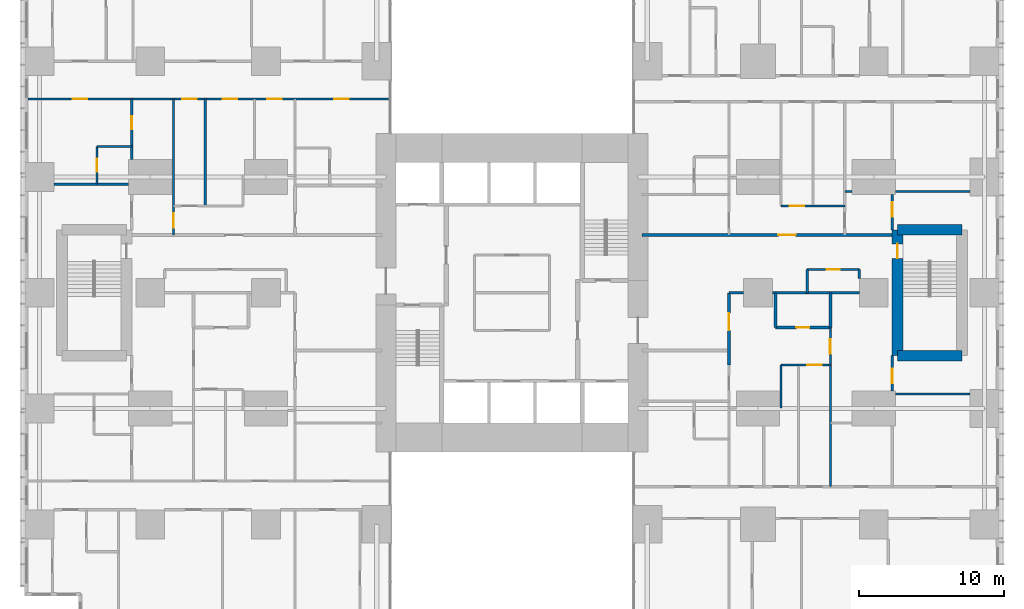
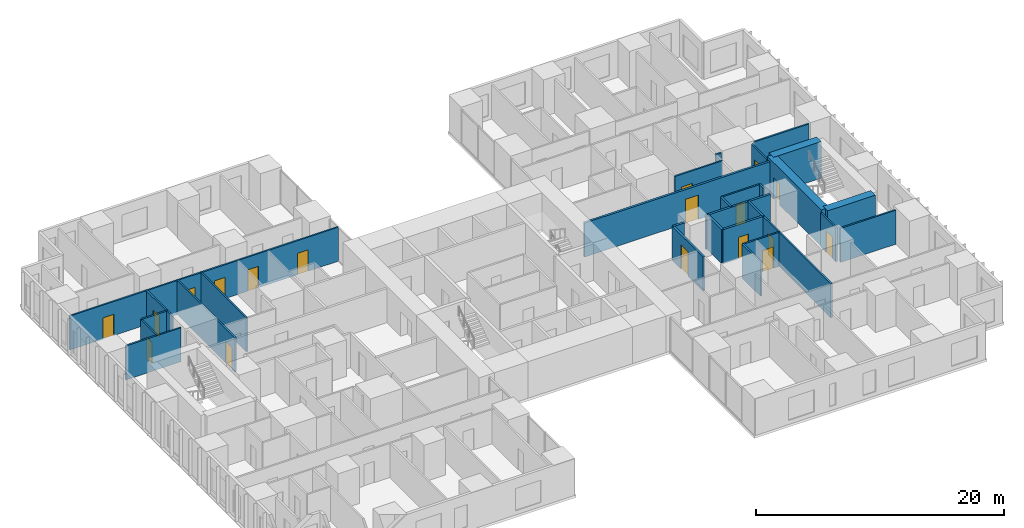
# One storey, part 16 of 20: 29 walls, 18 doors, 18 openings.
"""IFC4 building model written with IfcOpenShell, lengths in metres."""

from ifc_helpers import new_model, si_unit, direction, frame, frame_2d, origin, place, context, subcontext, project, spatial, rectangle, extrude, material, layer, layer_set, type_object, element, fill, save


model = new_model("IFC4")

# Units and contexts
model_context = context("Model", 3, precision=1e-05, world=origin(), true_north=direction((0.0, 1.0)))
body_context = subcontext(model_context, "Body", "Model", "MODEL_VIEW")
ifc_project = project(units=[si_unit("LENGTHUNIT", "METRE"), si_unit("AREAUNIT", "SQUARE_METRE"), si_unit("VOLUMEUNIT", "CUBIC_METRE"), si_unit("PLANEANGLEUNIT", "RADIAN"), si_unit("MASSUNIT", "GRAM", prefix="KILO")], contexts=[model_context])

# Site, building, storey
site_placement = place(None, origin())
site = spatial("IfcSite", under=ifc_project, at=site_placement, CompositionType="ELEMENT")
building_placement = place(site_placement, origin())
building = spatial("IfcBuilding", under=site, at=building_placement, Name="Cleftline Residences", CompositionType="ELEMENT")
storey_placement = place(building_placement, frame((0.0, 0.0, 146.60009765625)))
storey = spatial("IfcBuildingStorey", under=building, at=storey_placement, Name="L38", CompositionType="ELEMENT", Elevation=146.60009765625)

# Wall, opening, door
ifc_material_1 = material(Name="Concrete blockwork, fire rated", Category="masonry")
ifc_layer_1 = layer(ifc_material_1, 0.199951171875)
ifc_layer_set_1 = layer_set([ifc_layer_1], Name="FIRE WALL 200")
wall_type_1 = type_object("IfcWallType", Name="FIRE WALL 200", PredefinedType="PARTITIONING", material=ifc_layer_set_1)
wall_1_placement = place(storey_placement, frame((51.199951171875, 21.60009765625, 0.0), z_axis=(0.0, 0.0, 1.0), x_axis=(1.0, 0.0, 0.0)))
wall_1 = element("IfcWall", 1, at=wall_1_placement, inside=storey, type_object=wall_type_1, Name="Fire separating wall", PredefinedType="PARTITIONING", context=body_context, shape_type="SweptSolid", body=[
    extrude(rectangle(XDim=3.800048828125, YDim=0.199951171875, at=frame_2d((1.89990234375, 0.0))), origin(), (0.0, 0.0, 1.0), 3.349853515625),
])
opening_1_placement = place(wall_1_placement, frame((1.449951171875, 0.0, 0.0)))
opening_1 = element("IfcOpeningElement", 2, at=opening_1_placement, cuts=wall_1, Name="Opening D1F30", PredefinedType="OPENING", context=body_context, shape_type="SweptSolid", body=[
    extrude(rectangle(XDim=0.89990234375, YDim=2.10009765625, at=frame_2d((0.449951171875, 1.050048828125))), frame((0.0, 0.10986328125, 0.0), z_axis=(0.0, -1.0, 0.0), x_axis=(1.0, 0.0, 0.0)), (0.0, 0.0, 1.0), 0.219970703125),
])
ifc_material_2 = material(Name="Timber veneer on solid core", Category="wood")
door_type_1 = type_object("IfcDoorType", Name="DOOR 900X2100 EI 30", OperationType="SINGLE_SWING_LEFT", PredefinedType="DOOR", material=ifc_material_2)
door_1_placement = place(opening_1_placement, origin())
door_1 = element("IfcDoor", 3, at=door_1_placement, inside=storey, type_object=door_type_1, Name="Door to cloakroom wc", OperationType="SINGLE_SWING_LEFT", OverallHeight=2.10009765625, OverallWidth=0.89990234375, PredefinedType="DOOR", context=body_context, shape_type="SweptSolid", body=[
    extrude(rectangle(XDim=0.89990234375, YDim=2.10009765625, at=frame_2d((0.449951171875, 1.050048828125))), frame((0.0, 0.02490234375, 0.0), z_axis=(0.0, -1.0, 0.0), x_axis=(1.0, 0.0, 0.0)), (0.0, 0.0, 1.0), 0.050048828125),
])
fill(opening_1, door_1)

# Walls
wall_2_placement = place(storey_placement, frame((48.0, 24.0, 0.0), z_axis=(0.0, 0.0, 1.0), x_axis=(1.0, 0.0, 0.0)))
element("IfcWall", 4, at=wall_2_placement, inside=storey, type_object=wall_type_1, Name="Fire separating wall", PredefinedType="PARTITIONING", context=body_context, shape_type="SweptSolid", body=[
    extrude(rectangle(XDim=1.0, YDim=0.199951171875, at=frame_2d((0.5, 0.0))), origin(), (0.0, 0.0, 1.0), 3.349853515625),
])
wall_3_placement = place(storey_placement, frame((51.0, 24.0, 0.0), z_axis=(0.0, 0.0, 1.0), x_axis=(1.0, 0.0, 0.0)))
element("IfcWall", 5, at=wall_3_placement, inside=storey, type_object=wall_type_1, Name="Fire separating wall", PredefinedType="PARTITIONING", context=body_context, shape_type="SweptSolid", body=[
    extrude(rectangle(XDim=6.0, YDim=0.199951171875, at=frame_2d((3.0, 0.0))), origin(), (0.0, 0.0, 1.0), 3.349853515625),
])

# Wall, opening, door
wall_4_placement = place(storey_placement, frame((42.0, 28.0, 0.0), z_axis=(0.0, 0.0, 1.0), x_axis=(1.0, 0.0, 0.0)))
wall_4 = element("IfcWall", 6, at=wall_4_placement, inside=storey, type_object=wall_type_1, Name="Fire separating wall", PredefinedType="PARTITIONING", context=body_context, shape_type="SweptSolid", body=[
    extrude(rectangle(XDim=17.27490234375, YDim=0.199951171875, at=frame_2d((8.637451171875, 0.0))), origin(), (0.0, 0.0, 1.0), 3.349853515625),
])
opening_2_placement = place(wall_4_placement, frame((9.39990234375, 0.0, 0.0)))
opening_2 = element("IfcOpeningElement", 7, at=opening_2_placement, cuts=wall_4, Name="Opening D4", PredefinedType="OPENING", context=body_context, shape_type="SweptSolid", body=[
    extrude(rectangle(XDim=1.199951171875, YDim=2.39990234375, at=frame_2d((0.60009765625, 1.199951171875))), frame((0.0, 0.10986328125, 0.0), z_axis=(0.0, -1.0, 0.0), x_axis=(1.0, 0.0, 0.0)), (0.0, 0.0, 1.0), 0.219970703125),
])
ifc_material_3 = material(Name="Timber veneer on solid core", Category="wood")
door_type_2 = type_object("IfcDoorType", Name="APARTMENT ENTRANCE DOOR 1200X2400", OperationType="SINGLE_SWING_RIGHT", PredefinedType="DOOR", material=ifc_material_3)
door_2_placement = place(opening_2_placement, origin())
door_2 = element("IfcDoor", 8, at=door_2_placement, inside=storey, type_object=door_type_2, Name="Door to residence entrance (gallery)", OperationType="SINGLE_SWING_LEFT", OverallHeight=2.39990234375, OverallWidth=1.199951171875, PredefinedType="DOOR", context=body_context, shape_type="SweptSolid", body=[
    extrude(rectangle(XDim=1.199951171875, YDim=2.39990234375, at=frame_2d((0.60009765625, 1.199951171875))), frame((0.0, 0.02490234375, 0.0), z_axis=(0.0, -1.0, 0.0), x_axis=(1.0, 0.0, 0.0)), (0.0, 0.0, 1.0), 0.050048828125),
])
fill(opening_2, door_2)

wall_5_placement = place(storey_placement, frame((48.0, 19.0, 0.0), z_axis=(0.0, 0.0, 1.0), x_axis=(0.0, 1.0, 0.0)))
wall_5 = element("IfcWall", 9, at=wall_5_placement, inside=storey, type_object=wall_type_1, Name="Fire separating wall", PredefinedType="PARTITIONING", context=body_context, shape_type="SweptSolid", body=[
    extrude(rectangle(XDim=5.0, YDim=0.199951171875, at=frame_2d((2.5, 0.0))), origin(), (0.0, 0.0, 1.0), 3.349853515625),
])
opening_3_placement = place(wall_5_placement, frame((2.39990234375, 0.0, 0.0)))
opening_3 = element("IfcOpeningElement", 10, at=opening_3_placement, cuts=wall_5, Name="Opening D4", PredefinedType="OPENING", context=body_context, shape_type="SweptSolid", body=[
    extrude(rectangle(XDim=1.199951171875, YDim=2.39990234375, at=frame_2d((0.60009765625, 1.199951171875))), frame((0.0, 0.10986328125, 0.0), z_axis=(0.0, -1.0, 0.0), x_axis=(1.0, 0.0, 0.0)), (0.0, 0.0, 1.0), 0.219970703125),
])
door_3_placement = place(opening_3_placement, origin())
door_3 = element("IfcDoor", 11, at=door_3_placement, inside=storey, type_object=door_type_2, Name="Door to residence entrance foyer", OperationType="SINGLE_SWING_LEFT", OverallHeight=2.39990234375, OverallWidth=1.199951171875, PredefinedType="DOOR", context=body_context, shape_type="SweptSolid", body=[
    extrude(rectangle(XDim=1.199951171875, YDim=2.39990234375, at=frame_2d((0.60009765625, 1.199951171875))), frame((0.0, 0.02490234375, 0.0), z_axis=(0.0, -1.0, 0.0), x_axis=(1.0, 0.0, 0.0)), (0.0, 0.0, 1.0), 0.050048828125),
])
fill(opening_3, door_3)

# Walls
for number, where, z_axis, x_axis, name in (
    (12, (51.199951171875, 21.60009765625, 0.0), (0.0, 0.0, 1.0), (0.0, 1.0, 0.0), "Fire separating wall"),
    (13, (55.0, 21.60009765625, 0.0), (0.0, 0.0, 1.0), (0.0, 1.0, 0.0), "Fire separating wall"),
):
    element("IfcWall", number, at=place(storey_placement, frame(where, z_axis=z_axis, x_axis=x_axis)), inside=storey, type_object=wall_type_1, Name=name, PredefinedType="PARTITIONING", context=body_context, shape_type="SweptSolid", body=[
        extrude(rectangle(XDim=2.39990234375, YDim=0.199951171875, at=frame_2d((1.199951171875, 0.0))), origin(), (0.0, 0.0, 1.0), 3.349853515625),
    ])
ifc_material_4 = material(Name="Gypsum board on steel studs", Category="steel")
ifc_layer_2 = layer(ifc_material_4, 0.14990234375)
ifc_layer_set_2 = layer_set([ifc_layer_2], Name="PARTITION 150")
wall_type_2 = type_object("IfcWallType", Name="PARTITION 150", PredefinedType="PARTITIONING", material=ifc_layer_set_2)
wall_6_placement = place(storey_placement, frame((59.5, 17.0, 0.0), z_axis=(0.0, 0.0, 1.0), x_axis=(1.0, 0.0, 0.0)))
element("IfcWall", 14, at=wall_6_placement, inside=storey, type_object=wall_type_2, Name="Partition", PredefinedType="PARTITIONING", context=body_context, shape_type="SweptSolid", body=[
    extrude(rectangle(XDim=5.14990234375, YDim=0.14990234375, at=frame_2d((2.574951171875, 0.0))), origin(), (0.0, 0.0, 1.0), 3.349853515625),
])

# Wall, opening, door
wall_7_placement = place(storey_placement, frame((51.60009765625, 19.0, 0.0), z_axis=(0.0, 0.0, 1.0), x_axis=(1.0, 0.0, 0.0)))
wall_7 = element("IfcWall", 15, at=wall_7_placement, inside=storey, type_object=wall_type_2, Name="Partition", PredefinedType="PARTITIONING", context=body_context, shape_type="SweptSolid", body=[
    extrude(rectangle(XDim=3.39990234375, YDim=0.14990234375, at=frame_2d((1.699951171875, 0.0))), origin(), (0.0, 0.0, 1.0), 3.349853515625),
])
opening_4_placement = place(wall_7_placement, frame((1.800048828125, 0.0, 0.0)))
opening_4 = element("IfcOpeningElement", 16, at=opening_4_placement, cuts=wall_7, Name="Opening D2", PredefinedType="OPENING", context=body_context, shape_type="SweptSolid", body=[
    extrude(rectangle(XDim=1.0, YDim=2.10009765625, at=frame_2d((0.5, 1.050048828125))), frame((0.0, 0.0849609375, 0.0), z_axis=(0.0, -1.0, 0.0), x_axis=(1.0, 0.0, 0.0)), (0.0, 0.0, 1.0), 0.169921875),
])
ifc_material_5 = material(Name="Timber veneer on solid core", Category="wood")
door_type_3 = type_object("IfcDoorType", Name="DOOR 1000X2100", OperationType="SINGLE_SWING_LEFT", PredefinedType="DOOR", material=ifc_material_5)
door_4_placement = place(opening_4_placement, origin())
door_4 = element("IfcDoor", 17, at=door_4_placement, inside=storey, type_object=door_type_3, Name="Door to residence passage", OperationType="SINGLE_SWING_LEFT", OverallHeight=2.10009765625, OverallWidth=1.0, PredefinedType="DOOR", context=body_context, shape_type="SweptSolid", body=[
    extrude(rectangle(XDim=1.0, YDim=2.10009765625, at=frame_2d((0.5, 1.050048828125))), frame((0.0, 0.02490234375, 0.0), z_axis=(0.0, -1.0, 0.0), x_axis=(1.0, 0.0, 0.0)), (0.0, 0.0, 1.0), 0.050048828125),
])
fill(opening_4, door_4)

wall_8_placement = place(storey_placement, frame((53.39990234375, 25.60009765625, 0.0), z_axis=(0.0, 0.0, 1.0), x_axis=(1.0, 0.0, 0.0)))
wall_8 = element("IfcWall", 18, at=wall_8_placement, inside=storey, type_object=wall_type_2, Name="Partition", PredefinedType="PARTITIONING", context=body_context, shape_type="SweptSolid", body=[
    extrude(rectangle(XDim=3.60009765625, YDim=0.14990234375, at=frame_2d((1.800048828125, 0.0))), origin(), (0.0, 0.0, 1.0), 3.349853515625),
])
opening_5_placement = place(wall_8_placement, frame((1.35009765625, 0.0, 0.0)))
opening_5 = element("IfcOpeningElement", 19, at=opening_5_placement, cuts=wall_8, Name="Opening D1", PredefinedType="OPENING", context=body_context, shape_type="SweptSolid", body=[
    extrude(rectangle(XDim=0.89990234375, YDim=2.10009765625, at=frame_2d((0.449951171875, 1.050048828125))), frame((0.0, 0.0849609375, 0.0), z_axis=(0.0, -1.0, 0.0), x_axis=(1.0, 0.0, 0.0)), (0.0, 0.0, 1.0), 0.169921875),
])
ifc_material_6 = material(Name="Timber veneer on solid core", Category="wood")
door_type_4 = type_object("IfcDoorType", Name="DOOR 900X2100", OperationType="SINGLE_SWING_LEFT", PredefinedType="DOOR", material=ifc_material_6)
door_5_placement = place(opening_5_placement, origin())
door_5 = element("IfcDoor", 20, at=door_5_placement, inside=storey, type_object=door_type_4, Name="Door to residents' storage room", OperationType="SINGLE_SWING_LEFT", OverallHeight=2.10009765625, OverallWidth=0.89990234375, PredefinedType="DOOR", context=body_context, shape_type="SweptSolid", body=[
    extrude(rectangle(XDim=0.89990234375, YDim=2.10009765625, at=frame_2d((0.449951171875, 1.050048828125))), frame((0.0, 0.02490234375, 0.0), z_axis=(0.0, -1.0, 0.0), x_axis=(1.0, 0.0, 0.0)), (0.0, 0.0, 1.0), 0.050048828125),
])
fill(opening_5, door_5)

wall_9_placement = place(storey_placement, frame((51.60009765625, 30.0, 0.0), z_axis=(0.0, 0.0, 1.0), x_axis=(1.0, 0.0, 0.0)))
wall_9 = element("IfcWall", 21, at=wall_9_placement, inside=storey, type_object=wall_type_2, Name="Partition", PredefinedType="PARTITIONING", context=body_context, shape_type="SweptSolid", body=[
    extrude(rectangle(XDim=4.39990234375, YDim=0.14990234375, at=frame_2d((2.199951171875, 0.0))), origin(), (0.0, 0.0, 1.0), 3.349853515625),
])
opening_6_placement = place(wall_9_placement, frame((0.60009765625, 0.0, 0.0)))
opening_6 = element("IfcOpeningElement", 22, at=opening_6_placement, cuts=wall_9, Name="Opening D2", PredefinedType="OPENING", context=body_context, shape_type="SweptSolid", body=[
    extrude(rectangle(XDim=1.0, YDim=2.10009765625, at=frame_2d((0.5, 1.050048828125))), frame((0.0, 0.0849609375, 0.0), z_axis=(0.0, -1.0, 0.0), x_axis=(1.0, 0.0, 0.0)), (0.0, 0.0, 1.0), 0.169921875),
])
door_6_placement = place(opening_6_placement, origin())
door_6 = element("IfcDoor", 23, at=door_6_placement, inside=storey, type_object=door_type_3, Name="Door to residence passage", OperationType="SINGLE_SWING_RIGHT", OverallHeight=2.10009765625, OverallWidth=1.0, PredefinedType="DOOR", context=body_context, shape_type="SweptSolid", body=[
    extrude(rectangle(XDim=1.0, YDim=2.10009765625, at=frame_2d((0.5, 1.050048828125))), frame((0.0, 0.02490234375, 0.0), z_axis=(0.0, -1.0, 0.0), x_axis=(1.0, 0.0, 0.0)), (0.0, 0.0, 1.0), 0.050048828125),
])
fill(opening_6, door_6)

# Walls
wall_10_placement = place(storey_placement, frame((56.0, 31.0, 0.0), z_axis=(0.0, 0.0, 1.0), x_axis=(1.0, 0.0, 0.0)))
element("IfcWall", 24, at=wall_10_placement, inside=storey, type_object=wall_type_2, Name="Partition", PredefinedType="PARTITIONING", context=body_context, shape_type="SweptSolid", body=[
    extrude(rectangle(XDim=0.5, YDim=0.14990234375, at=frame_2d((0.25, 0.0))), origin(), (0.0, 0.0, 1.0), 3.349853515625),
])
for number, where, z_axis, x_axis, name in (
    (25, (59.5, 31.0, 0.0), (0.0, 0.0, 1.0), (1.0, 0.0, 0.0), "Partition"),
    (26, (1.35009765625, 31.5, 0.0), (0.0, 0.0, 1.0), (1.0, 0.0, 0.0), "Partition"),
):
    element("IfcWall", number, at=place(storey_placement, frame(where, z_axis=z_axis, x_axis=x_axis)), inside=storey, type_object=wall_type_2, Name=name, PredefinedType="PARTITIONING", context=body_context, shape_type="SweptSolid", body=[
        extrude(rectangle(XDim=5.14990234375, YDim=0.14990234375, at=frame_2d((2.574951171875, 0.0))), origin(), (0.0, 0.0, 1.0), 3.349853515625),
    ])
wall_11_placement = place(storey_placement, frame((4.324951171875, 34.10009765625, 0.0), z_axis=(0.0, 0.0, 1.0), x_axis=(1.0, 0.0, 0.0)))
element("IfcWall", 27, at=wall_11_placement, inside=storey, type_object=wall_type_2, Name="Partition", PredefinedType="PARTITIONING", context=body_context, shape_type="SweptSolid", body=[
    extrude(rectangle(XDim=2.400146484375, YDim=0.14990234375, at=frame_2d((1.2001953125, 0.0))), origin(), (0.0, 0.0, 1.0), 3.349853515625),
])

# Wall, openings, doors
wall_12_placement = place(storey_placement, frame((-0.449951171875, 37.39990234375, 0.0), z_axis=(0.0, 0.0, 1.0), x_axis=(1.0, 0.0, 0.0)))
wall_12 = element("IfcWall", 28, at=wall_12_placement, inside=storey, type_object=wall_type_2, Name="Partition", PredefinedType="PARTITIONING", context=body_context, shape_type="SweptSolid", body=[
    extrude(rectangle(XDim=25.010986328125, YDim=0.14990234375, at=frame_2d((12.50537109375, 0.0))), origin(), (0.0, 0.0, 1.0), 3.349853515625),
])
opening_7_placement = place(wall_12_placement, frame((10.64990234375, 0.0, 0.0)))
opening_7 = element("IfcOpeningElement", 29, at=opening_7_placement, cuts=wall_12, Name="Opening D2", PredefinedType="OPENING", context=body_context, shape_type="SweptSolid", body=[
    extrude(rectangle(XDim=1.0, YDim=2.10009765625, at=frame_2d((0.5, 1.050048828125))), frame((0.0, 0.0849609375, 0.0), z_axis=(0.0, -1.0, 0.0), x_axis=(1.0, 0.0, 0.0)), (0.0, 0.0, 1.0), 0.169921875),
])
opening_8_placement = place(wall_12_placement, frame((3.08740234375, 0.0, 0.0)))
opening_8 = element("IfcOpeningElement", 30, at=opening_8_placement, cuts=wall_12, Name="Opening D2", PredefinedType="OPENING", context=body_context, shape_type="SweptSolid", body=[
    extrude(rectangle(XDim=1.0, YDim=2.10009765625, at=frame_2d((0.5, 1.050048828125))), frame((0.0, 0.0849609375, 0.0), z_axis=(0.0, -1.0, 0.0), x_axis=(1.0, 0.0, 0.0)), (0.0, 0.0, 1.0), 0.169921875),
])
opening_9_placement = place(wall_12_placement, frame((13.449951171875, 0.0, 0.0)))
opening_9 = element("IfcOpeningElement", 31, at=opening_9_placement, cuts=wall_12, Name="Opening D2", PredefinedType="OPENING", context=body_context, shape_type="SweptSolid", body=[
    extrude(rectangle(XDim=1.0, YDim=2.10009765625, at=frame_2d((0.5, 1.050048828125))), frame((0.0, 0.0849609375, 0.0), z_axis=(0.0, -1.0, 0.0), x_axis=(1.0, 0.0, 0.0)), (0.0, 0.0, 1.0), 0.169921875),
])
opening_10_placement = place(wall_12_placement, frame((16.550048828125, 0.0, 0.0)))
opening_10 = element("IfcOpeningElement", 32, at=opening_10_placement, cuts=wall_12, Name="Opening D2", PredefinedType="OPENING", context=body_context, shape_type="SweptSolid", body=[
    extrude(rectangle(XDim=1.0, YDim=2.10009765625, at=frame_2d((0.5, 1.050048828125))), frame((0.0, 0.0849609375, 0.0), z_axis=(0.0, -1.0, 0.0), x_axis=(1.0, 0.0, 0.0)), (0.0, 0.0, 1.0), 0.169921875),
])
opening_11_placement = place(wall_12_placement, frame((21.175048828125, 0.0, 0.0)))
opening_11 = element("IfcOpeningElement", 33, at=opening_11_placement, cuts=wall_12, Name="Opening D2", PredefinedType="OPENING", context=body_context, shape_type="SweptSolid", body=[
    extrude(rectangle(XDim=1.0, YDim=2.10009765625, at=frame_2d((0.5, 1.050048828125))), frame((0.0, 0.0849609375, 0.0), z_axis=(0.0, -1.0, 0.0), x_axis=(1.0, 0.0, 0.0)), (0.0, 0.0, 1.0), 0.169921875),
])
door_7_placement = place(opening_7_placement, origin())
door_7 = element("IfcDoor", 34, at=door_7_placement, inside=storey, type_object=door_type_3, Name="Door to residence hall", OperationType="SINGLE_SWING_RIGHT", OverallHeight=2.10009765625, OverallWidth=1.0, PredefinedType="DOOR", context=body_context, shape_type="SweptSolid", body=[
    extrude(rectangle(XDim=1.0, YDim=2.10009765625, at=frame_2d((0.5, 1.050048828125))), frame((0.0, 0.02490234375, 0.0), z_axis=(0.0, -1.0, 0.0), x_axis=(1.0, 0.0, 0.0)), (0.0, 0.0, 1.0), 0.050048828125),
])
fill(opening_7, door_7)
door_8_placement = place(opening_8_placement, origin())
door_8 = element("IfcDoor", 35, at=door_8_placement, inside=storey, type_object=door_type_3, Name="Door to master bedroom", OperationType="SINGLE_SWING_RIGHT", OverallHeight=2.10009765625, OverallWidth=1.0, PredefinedType="DOOR", context=body_context, shape_type="SweptSolid", body=[
    extrude(rectangle(XDim=1.0, YDim=2.10009765625, at=frame_2d((0.5, 1.050048828125))), frame((0.0, 0.02490234375, 0.0), z_axis=(0.0, -1.0, 0.0), x_axis=(1.0, 0.0, 0.0)), (0.0, 0.0, 1.0), 0.050048828125),
])
fill(opening_8, door_8)
door_9_placement = place(opening_9_placement, origin())
door_9 = element("IfcDoor", 36, at=door_9_placement, inside=storey, type_object=door_type_3, Name="Door to family room", OperationType="SINGLE_SWING_LEFT", OverallHeight=2.10009765625, OverallWidth=1.0, PredefinedType="DOOR", context=body_context, shape_type="SweptSolid", body=[
    extrude(rectangle(XDim=1.0, YDim=2.10009765625, at=frame_2d((0.5, 1.050048828125))), frame((0.0, 0.02490234375, 0.0), z_axis=(0.0, -1.0, 0.0), x_axis=(1.0, 0.0, 0.0)), (0.0, 0.0, 1.0), 0.050048828125),
])
fill(opening_9, door_9)
door_10_placement = place(opening_10_placement, origin())
door_10 = element("IfcDoor", 37, at=door_10_placement, inside=storey, type_object=door_type_3, Name="Door to wet kitchen", OperationType="SINGLE_SWING_LEFT", OverallHeight=2.10009765625, OverallWidth=1.0, PredefinedType="DOOR", context=body_context, shape_type="SweptSolid", body=[
    extrude(rectangle(XDim=1.0, YDim=2.10009765625, at=frame_2d((0.5, 1.050048828125))), frame((0.0, 0.02490234375, 0.0), z_axis=(0.0, -1.0, 0.0), x_axis=(1.0, 0.0, 0.0)), (0.0, 0.0, 1.0), 0.050048828125),
])
fill(opening_10, door_10)
door_11_placement = place(opening_11_placement, origin())
door_11 = element("IfcDoor", 38, at=door_11_placement, inside=storey, type_object=door_type_3, Name="Door to bedroom 3", OperationType="SINGLE_SWING_LEFT", OverallHeight=2.10009765625, OverallWidth=1.0, PredefinedType="DOOR", context=body_context, shape_type="SweptSolid", body=[
    extrude(rectangle(XDim=1.0, YDim=2.10009765625, at=frame_2d((0.5, 1.050048828125))), frame((0.0, 0.02490234375, 0.0), z_axis=(0.0, -1.0, 0.0), x_axis=(1.0, 0.0, 0.0)), (0.0, 0.0, 1.0), 0.050048828125),
])
fill(opening_11, door_11)

# Wall, opening, door
wall_13_placement = place(storey_placement, frame((4.324951171875, 31.5, 0.0), z_axis=(0.0, 0.0, 1.0), x_axis=(0.0, 1.0, 0.0)))
wall_13 = element("IfcWall", 39, at=wall_13_placement, inside=storey, type_object=wall_type_2, Name="Partition", PredefinedType="PARTITIONING", context=body_context, shape_type="SweptSolid", body=[
    extrude(rectangle(XDim=2.60009765625, YDim=0.14990234375, at=frame_2d((1.300048828125, 0.0))), origin(), (0.0, 0.0, 1.0), 3.349853515625),
])
opening_12_placement = place(wall_13_placement, frame((0.85009765625, 0.0, 0.0)))
opening_12 = element("IfcOpeningElement", 40, at=opening_12_placement, cuts=wall_13, Name="Opening D1", PredefinedType="OPENING", context=body_context, shape_type="SweptSolid", body=[
    extrude(rectangle(XDim=0.89990234375, YDim=2.10009765625, at=frame_2d((0.449951171875, 1.050048828125))), frame((0.0, 0.0849609375, 0.0), z_axis=(0.0, -1.0, 0.0), x_axis=(1.0, 0.0, 0.0)), (0.0, 0.0, 1.0), 0.169921875),
])
door_12_placement = place(opening_12_placement, origin())
door_12 = element("IfcDoor", 41, at=door_12_placement, inside=storey, type_object=door_type_4, Name="Door to master bathroom", OperationType="SINGLE_SWING_LEFT", OverallHeight=2.10009765625, OverallWidth=0.89990234375, PredefinedType="DOOR", context=body_context, shape_type="SweptSolid", body=[
    extrude(rectangle(XDim=0.89990234375, YDim=2.10009765625, at=frame_2d((0.449951171875, 1.050048828125))), frame((0.0, 0.02490234375, 0.0), z_axis=(0.0, -1.0, 0.0), x_axis=(1.0, 0.0, 0.0)), (0.0, 0.0, 1.0), 0.050048828125),
])
fill(opening_12, door_12)

wall_14_placement = place(storey_placement, frame((6.72509765625, 33.199951171875, 0.0), z_axis=(0.0, 0.0, 1.0), x_axis=(0.0, 1.0, 0.0)))
wall_14 = element("IfcWall", 42, at=wall_14_placement, inside=storey, type_object=wall_type_2, Name="Partition", PredefinedType="PARTITIONING", context=body_context, shape_type="SweptSolid", body=[
    extrude(rectangle(XDim=4.199951171875, YDim=0.14990234375, at=frame_2d((2.10009765625, 0.0))), origin(), (0.0, 0.0, 1.0), 3.349853515625),
])
opening_13_placement = place(wall_14_placement, frame((2.10009765625, 0.0, 0.0)))
opening_13 = element("IfcOpeningElement", 43, at=opening_13_placement, cuts=wall_14, Name="Opening D1", PredefinedType="OPENING", context=body_context, shape_type="SweptSolid", body=[
    extrude(rectangle(XDim=0.89990234375, YDim=2.10009765625, at=frame_2d((0.449951171875, 1.050048828125))), frame((0.0, 0.0849609375, 0.0), z_axis=(0.0, -1.0, 0.0), x_axis=(1.0, 0.0, 0.0)), (0.0, 0.0, 1.0), 0.169921875),
])
door_13_placement = place(opening_13_placement, origin())
door_13 = element("IfcDoor", 44, at=door_13_placement, inside=storey, type_object=door_type_4, Name="Door to master dressing room", OperationType="SINGLE_SWING_LEFT", OverallHeight=2.10009765625, OverallWidth=0.89990234375, PredefinedType="DOOR", context=body_context, shape_type="SweptSolid", body=[
    extrude(rectangle(XDim=0.89990234375, YDim=2.10009765625, at=frame_2d((0.449951171875, 1.050048828125))), frame((0.0, 0.02490234375, 0.0), z_axis=(0.0, -1.0, 0.0), x_axis=(1.0, 0.0, 0.0)), (0.0, 0.0, 1.0), 0.050048828125),
])
fill(opening_13, door_13)

wall_15_placement = place(storey_placement, frame((9.60009765625, 28.0, 0.0), z_axis=(0.0, 0.0, 1.0), x_axis=(0.0, 1.0, 0.0)))
wall_15 = element("IfcWall", 45, at=wall_15_placement, inside=storey, type_object=wall_type_2, Name="Partition", PredefinedType="PARTITIONING", context=body_context, shape_type="SweptSolid", body=[
    extrude(rectangle(XDim=9.39990234375, YDim=0.14990234375, at=frame_2d((4.699951171875, 0.0))), origin(), (0.0, 0.0, 1.0), 3.349853515625),
])
opening_14_placement = place(wall_15_placement, frame((0.5, 0.0, 0.0)))
opening_14 = element("IfcOpeningElement", 46, at=opening_14_placement, cuts=wall_15, Name="Opening D2F30", PredefinedType="OPENING", context=body_context, shape_type="SweptSolid", body=[
    extrude(rectangle(XDim=1.0, YDim=2.10009765625, at=frame_2d((0.5, 1.050048828125))), frame((0.0, 0.0849609375, 0.0), z_axis=(0.0, -1.0, 0.0), x_axis=(1.0, 0.0, 0.0)), (0.0, 0.0, 1.0), 0.169921875),
])
ifc_material_7 = material(Name="Timber veneer on solid core", Category="wood")
door_type_5 = type_object("IfcDoorType", Name="DOOR 1000X2100 EI 30", OperationType="SINGLE_SWING_LEFT", PredefinedType="DOOR", material=ifc_material_7)
door_14_placement = place(opening_14_placement, origin())
door_14 = element("IfcDoor", 47, at=door_14_placement, inside=storey, type_object=door_type_5, Name="Door to residence lobby", OperationType="SINGLE_SWING_RIGHT", OverallHeight=2.10009765625, OverallWidth=1.0, PredefinedType="DOOR", context=body_context, shape_type="SweptSolid", body=[
    extrude(rectangle(XDim=1.0, YDim=2.10009765625, at=frame_2d((0.5, 1.050048828125))), frame((0.0, 0.02490234375, 0.0), z_axis=(0.0, -1.0, 0.0), x_axis=(1.0, 0.0, 0.0)), (0.0, 0.0, 1.0), 0.050048828125),
])
fill(opening_14, door_14)

# Walls
wall_16_placement = place(storey_placement, frame((11.800048828125, 30.0, 0.0), z_axis=(0.0, 0.0, 1.0), x_axis=(0.0, 1.0, 0.0)))
element("IfcWall", 48, at=wall_16_placement, inside=storey, type_object=wall_type_2, Name="Partition", PredefinedType="PARTITIONING", context=body_context, shape_type="SweptSolid", body=[
    extrude(rectangle(XDim=7.39990234375, YDim=0.14990234375, at=frame_2d((3.699951171875, 0.0))), origin(), (0.0, 0.0, 1.0), 3.349853515625),
])
wall_17_placement = place(storey_placement, frame((51.60009765625, 16.050048828125, 0.0), z_axis=(0.0, 0.0, 1.0), x_axis=(0.0, 1.0, 0.0)))
element("IfcWall", 49, at=wall_17_placement, inside=storey, type_object=wall_type_2, Name="Partition", PredefinedType="PARTITIONING", context=body_context, shape_type="SweptSolid", body=[
    extrude(rectangle(XDim=2.949951171875, YDim=0.14990234375, at=frame_2d((1.47509765625, 0.0))), origin(), (0.0, 0.0, 1.0), 3.349853515625),
])
wall_18_placement = place(storey_placement, frame((53.39990234375, 24.0, 0.0), z_axis=(0.0, 0.0, 1.0), x_axis=(0.0, 1.0, 0.0)))
element("IfcWall", 50, at=wall_18_placement, inside=storey, type_object=wall_type_2, Name="Partition", PredefinedType="PARTITIONING", context=body_context, shape_type="SweptSolid", body=[
    extrude(rectangle(XDim=1.60009765625, YDim=0.14990234375, at=frame_2d((0.800048828125, 0.0))), origin(), (0.0, 0.0, 1.0), 3.349853515625),
])

# Wall, opening, door
wall_19_placement = place(storey_placement, frame((55.0, 10.60009765625, 0.0), z_axis=(0.0, 0.0, 1.0), x_axis=(0.0, 1.0, 0.0)))
wall_19 = element("IfcWall", 51, at=wall_19_placement, inside=storey, type_object=wall_type_2, Name="Partition", PredefinedType="PARTITIONING", context=body_context, shape_type="SweptSolid", body=[
    extrude(rectangle(XDim=11.0, YDim=0.14990234375, at=frame_2d((5.5, 0.0))), origin(), (0.0, 0.0, 1.0), 3.349853515625),
])
opening_15_placement = place(wall_19_placement, frame((9.199951171875, 0.0, 0.0)))
opening_15 = element("IfcOpeningElement", 52, at=opening_15_placement, cuts=wall_19, Name="Opening D2F30", PredefinedType="OPENING", context=body_context, shape_type="SweptSolid", body=[
    extrude(rectangle(XDim=1.0, YDim=2.10009765625, at=frame_2d((0.5, 1.050048828125))), frame((0.0, 0.0849609375, 0.0), z_axis=(0.0, -1.0, 0.0), x_axis=(1.0, 0.0, 0.0)), (0.0, 0.0, 1.0), 0.169921875),
])
door_15_placement = place(opening_15_placement, origin())
door_15 = element("IfcDoor", 53, at=door_15_placement, inside=storey, type_object=door_type_5, Name="Door to residence lobby", OperationType="SINGLE_SWING_LEFT", OverallHeight=2.10009765625, OverallWidth=1.0, PredefinedType="DOOR", context=body_context, shape_type="SweptSolid", body=[
    extrude(rectangle(XDim=1.0, YDim=2.10009765625, at=frame_2d((0.5, 1.050048828125))), frame((0.0, 0.02490234375, 0.0), z_axis=(0.0, -1.0, 0.0), x_axis=(1.0, 0.0, 0.0)), (0.0, 0.0, 1.0), 0.050048828125),
])
fill(opening_15, door_15)

# Wall
wall_20_placement = place(storey_placement, frame((57.0, 25.0, 0.0), z_axis=(0.0, 0.0, 1.0), x_axis=(0.0, 1.0, 0.0)))
element("IfcWall", 54, at=wall_20_placement, inside=storey, type_object=wall_type_2, Name="Partition", PredefinedType="PARTITIONING", context=body_context, shape_type="SweptSolid", body=[
    extrude(rectangle(XDim=0.60009765625, YDim=0.14990234375, at=frame_2d((0.300048828125, 0.0))), origin(), (0.0, 0.0, 1.0), 3.349853515625),
])

# Wall, opening, door
wall_21_placement = place(storey_placement, frame((59.27490234375, 17.199951171875, 0.0), z_axis=(0.0, 0.0, 1.0), x_axis=(0.0, 1.0, 0.0)))
wall_21 = element("IfcWall", 55, at=wall_21_placement, inside=storey, type_object=wall_type_2, Name="Partition", PredefinedType="PARTITIONING", context=body_context, shape_type="SweptSolid", body=[
    extrude(rectangle(XDim=2.449951171875, YDim=0.14990234375, at=frame_2d((1.22509765625, 0.0))), origin(), (0.0, 0.0, 1.0), 3.349853515625),
])
opening_16_placement = place(wall_21_placement, frame((0.53759765625, 0.0, 0.0)))
opening_16 = element("IfcOpeningElement", 56, at=opening_16_placement, cuts=wall_21, Name="Opening D2", PredefinedType="OPENING", context=body_context, shape_type="SweptSolid", body=[
    extrude(rectangle(XDim=1.0, YDim=2.10009765625, at=frame_2d((0.5, 1.050048828125))), frame((0.0, 0.0849609375, 0.0), z_axis=(0.0, -1.0, 0.0), x_axis=(1.0, 0.0, 0.0)), (0.0, 0.0, 1.0), 0.169921875),
])
door_16_placement = place(opening_16_placement, origin())
door_16 = element("IfcDoor", 57, at=door_16_placement, inside=storey, type_object=door_type_3, Name="Door to altar room", OperationType="SINGLE_SWING_RIGHT", OverallHeight=2.10009765625, OverallWidth=1.0, PredefinedType="DOOR", context=body_context, shape_type="SweptSolid", body=[
    extrude(rectangle(XDim=1.0, YDim=2.10009765625, at=frame_2d((0.5, 1.050048828125))), frame((0.0, 0.02490234375, 0.0), z_axis=(0.0, -1.0, 0.0), x_axis=(1.0, 0.0, 0.0)), (0.0, 0.0, 1.0), 0.050048828125),
])
fill(opening_16, door_16)

wall_22_placement = place(storey_placement, frame((59.27490234375, 28.35009765625, 0.0), z_axis=(0.0, 0.0, 1.0), x_axis=(0.0, 1.0, 0.0)))
wall_22 = element("IfcWall", 58, at=wall_22_placement, inside=storey, type_object=wall_type_2, Name="Partition", PredefinedType="PARTITIONING", context=body_context, shape_type="SweptSolid", body=[
    extrude(rectangle(XDim=2.449951171875, YDim=0.14990234375, at=frame_2d((1.22509765625, 0.0))), origin(), (0.0, 0.0, 1.0), 3.349853515625),
])
opening_17_placement = place(wall_22_placement, frame((0.91259765625, 0.0, 0.0)))
opening_17 = element("IfcOpeningElement", 59, at=opening_17_placement, cuts=wall_22, Name="Opening D2", PredefinedType="OPENING", context=body_context, shape_type="SweptSolid", body=[
    extrude(rectangle(XDim=1.0, YDim=2.10009765625, at=frame_2d((0.5, 1.050048828125))), frame((0.0, 0.0849609375, 0.0), z_axis=(0.0, -1.0, 0.0), x_axis=(1.0, 0.0, 0.0)), (0.0, 0.0, 1.0), 0.169921875),
])
door_17_placement = place(opening_17_placement, origin())
door_17 = element("IfcDoor", 60, at=door_17_placement, inside=storey, type_object=door_type_3, Name="Door to altar room", OperationType="SINGLE_SWING_LEFT", OverallHeight=2.10009765625, OverallWidth=1.0, PredefinedType="DOOR", context=body_context, shape_type="SweptSolid", body=[
    extrude(rectangle(XDim=1.0, YDim=2.10009765625, at=frame_2d((0.5, 1.050048828125))), frame((0.0, 0.02490234375, 0.0), z_axis=(0.0, -1.0, 0.0), x_axis=(1.0, 0.0, 0.0)), (0.0, 0.0, 1.0), 0.050048828125),
])
fill(opening_17, door_17)

# Walls
ifc_material_8 = material(Name="Concrete B70", Category="concrete")
ifc_layer_3 = layer(ifc_material_8, 0.75)
ifc_layer_set_3 = layer_set([ifc_layer_3], Name="SHEAR WALL 750")
wall_type_3 = type_object("IfcWallType", Name="SHEAR WALL 750", PredefinedType="SHEAR", material=ifc_layer_set_3)
for number, where, z_axis, x_axis, name in (
    (61, (59.64990234375, 19.64990234375, 0.0), (0.0, 0.0, 1.0), (1.0, 0.0, 0.0), "Wing shear wall"),
    (62, (64.10009765625, 28.35009765625, 0.0), (0.0, 0.0, 1.0), (-1.0, 0.0, 0.0), "Wing shear wall"),
):
    element("IfcWall", number, at=place(storey_placement, frame(where, z_axis=z_axis, x_axis=x_axis)), inside=storey, type_object=wall_type_3, Name=name, PredefinedType="SHEAR", context=body_context, shape_type="SweptSolid", body=[
        extrude(rectangle(XDim=4.4501953125, YDim=0.75, at=frame_2d((2.22509765625, 0.0))), origin(), (0.0, 0.0, 1.0), 3.599853515625),
    ])

# Wall, opening, door
wall_23_placement = place(storey_placement, frame((59.64990234375, 28.35009765625, 0.0), z_axis=(0.0, 0.0, 1.0), x_axis=(0.0, -1.0, 0.0)))
wall_23 = element("IfcWall", 63, at=wall_23_placement, inside=storey, type_object=wall_type_3, Name="Wing shear wall", PredefinedType="SHEAR", context=body_context, shape_type="SweptSolid", body=[
    extrude(rectangle(XDim=8.7001953125, YDim=0.75, at=frame_2d((4.35009765625, 0.0))), origin(), (0.0, 0.0, 1.0), 3.599853515625),
])
opening_18_placement = place(wall_23_placement, frame((0.97509765625, 0.0, 0.0)))
opening_18 = element("IfcOpeningElement", 64, at=opening_18_placement, cuts=wall_23, Name="Opening D5", PredefinedType="OPENING", context=body_context, shape_type="SweptSolid", body=[
    extrude(rectangle(XDim=1.0, YDim=2.10009765625, at=frame_2d((0.5, 1.050048828125))), frame((0.0, 0.385009765625, 0.0), z_axis=(0.0, -1.0, 0.0), x_axis=(1.0, 0.0, 0.0)), (0.0, 0.0, 1.0), 0.77001953125),
])
ifc_material_9 = material(Name="Steel", Category="steel")
door_type_6 = type_object("IfcDoorType", Name="STAIR DOOR 1000X2100", OperationType="SINGLE_SWING_LEFT", PredefinedType="DOOR", material=ifc_material_9)
door_18_placement = place(opening_18_placement, origin())
door_18 = element("IfcDoor", 65, at=door_18_placement, inside=storey, type_object=door_type_6, Name="Stair E door", OperationType="SINGLE_SWING_RIGHT", OverallHeight=2.10009765625, OverallWidth=1.0, PredefinedType="DOOR", context=body_context, shape_type="SweptSolid", body=[
    extrude(rectangle(XDim=1.0, YDim=2.10009765625, at=frame_2d((0.5, 1.050048828125))), frame((0.0, 0.02490234375, 0.0), z_axis=(0.0, -1.0, 0.0), x_axis=(1.0, 0.0, 0.0)), (0.0, 0.0, 1.0), 0.050048828125),
])
fill(opening_18, door_18)

save(model, "model.ifc")
